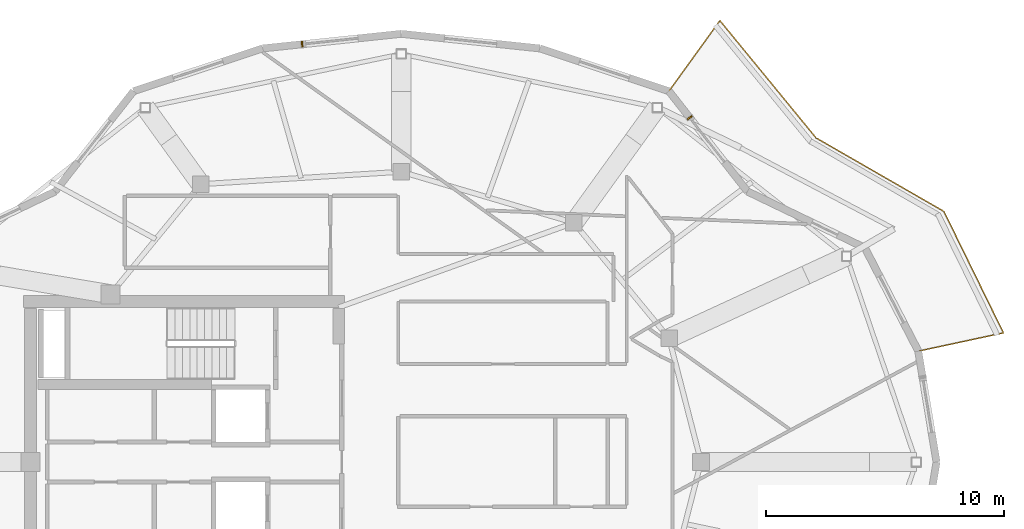
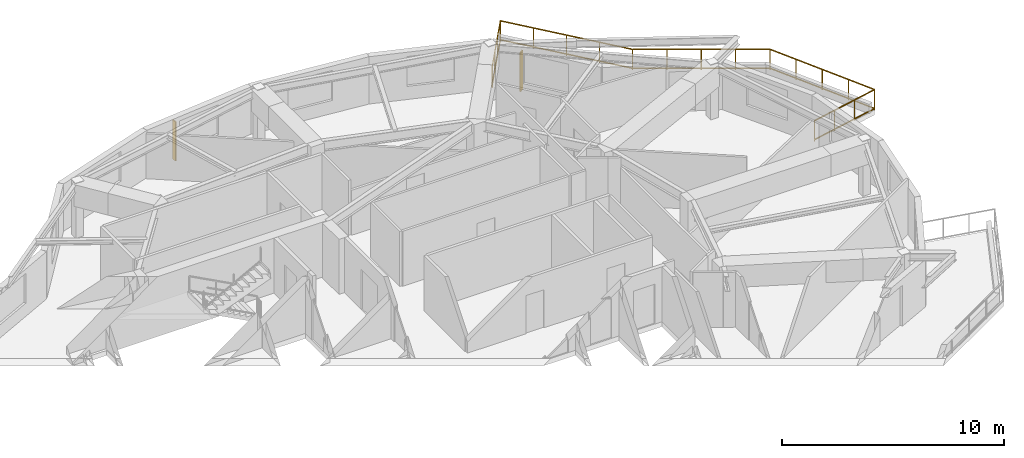
# One storey, part 11 of 11: 2 shading devices, 1 railing.
"""IFC4 building model written with IfcOpenShell, lengths in metres."""

from ifc_helpers import new_model, si_unit, direction, frame, origin, origin_2d, place, context, subcontext, project, spatial, rectangle, extrude, material, type_object, element, save


model = new_model("IFC4")

# Units and contexts
model_context = context("Model", 3, precision=1e-05, world=origin(), true_north=direction((0.0, 1.0)))
body_context = subcontext(model_context, "Body", "Model", "MODEL_VIEW")
ifc_project = project(units=[si_unit("LENGTHUNIT", "METRE"), si_unit("AREAUNIT", "SQUARE_METRE"), si_unit("VOLUMEUNIT", "CUBIC_METRE"), si_unit("PLANEANGLEUNIT", "RADIAN"), si_unit("MASSUNIT", "GRAM", prefix="KILO")], contexts=[model_context])

# Site, building, storey
site_placement = place(None, origin())
site = spatial("IfcSite", under=ifc_project, at=site_placement, CompositionType="ELEMENT")
building_placement = place(site_placement, origin())
building = spatial("IfcBuilding", under=site, at=building_placement, Name="Kolvaren Gate Tower and Convention Centre", CompositionType="ELEMENT")
storey_placement = place(building_placement, frame((0.0, 0.0, 255.800048828125)))
storey = spatial("IfcBuildingStorey", under=building, at=storey_placement, Name="L69", CompositionType="ELEMENT", Elevation=255.800048828125)

# Railing
ifc_material_1 = material(Name="Brushed Stainless Steel Grade 316L", Category="steel")
railing_type = type_object("IfcRailingType", Name="ARCH-RL-GUARD-1150", PredefinedType="GUARDRAIL", material=ifc_material_1)
railing_placement = place(storey_placement, frame((51.8583984375, 31.65869140625, 0.0)))
element("IfcRailing", 1, at=railing_placement, inside=storey, type_object=railing_type, Name="Tower L69 Terrace Perimeter Guardrail GR-1", PredefinedType="GUARDRAIL", context=body_context, shape_type="SweptSolid", body=[
    extrude(rectangle(XDim=0.048095703125, YDim=0.048095703125, at=origin_2d()), frame((0.02734375, 0.005859375, 1.1259765625), z_axis=(0.977788745232, 0.209592866525, 0.0), x_axis=(-0.209592866525, 0.977788745232, 0.0)), (0.0, 0.0, 1.0), 3.603759765625),
    extrude(rectangle(XDim=0.048095703125, YDim=0.048095703125, at=origin_2d()), frame((0.02734375, 0.005859375, 0.083984375), z_axis=(0.977788745232, 0.209592866525, 0.0), x_axis=(-0.209592866525, 0.977788745232, 0.0)), (0.0, 0.0, 1.0), 3.603759765625),
    extrude(rectangle(XDim=0.048095703125, YDim=0.048095703125, at=origin_2d()), frame((3.566162109375, 0.792236328125, 1.1259765625), z_axis=(-0.440058847499, 0.897968936399, 0.0), x_axis=(-0.897968936399, -0.440058847499, 0.0)), (0.0, 0.0, 1.0), 5.63330078125),
    extrude(rectangle(XDim=0.048095703125, YDim=0.048095703125, at=origin_2d()), frame((3.566162109375, 0.792236328125, 0.083984375), z_axis=(-0.440058847499, 0.897968936399, 0.0), x_axis=(-0.897968936399, -0.440058847499, 0.0)), (0.0, 0.0, 1.0), 5.63330078125),
    extrude(rectangle(XDim=0.048095703125, YDim=0.048095703125, at=origin_2d()), frame((1.050537109375, 5.889892578125, 1.1259765625), z_axis=(-0.866894385595, 0.498491849706, 0.0), x_axis=(-0.498491849706, -0.866894385595, 0.0)), (0.0, 0.0, 1.0), 6.140869140625),
    extrude(rectangle(XDim=0.048095703125, YDim=0.048095703125, at=origin_2d()), frame((1.050537109375, 5.889892578125, 0.083984375), z_axis=(-0.866894385595, 0.498491849706, 0.0), x_axis=(-0.498491849706, -0.866894385595, 0.0)), (0.0, 0.0, 1.0), 6.140869140625),
    extrude(rectangle(XDim=0.048095703125, YDim=0.048095703125, at=origin_2d()), frame((-4.31494140625, 8.98681640625, 1.1259765625), z_axis=(-0.634050293942, 0.773291810866, 0.0), x_axis=(-0.773291810866, -0.634050293942, 0.0)), (0.0, 0.0, 1.0), 6.322509765625),
    extrude(rectangle(XDim=0.048095703125, YDim=0.048095703125, at=origin_2d()), frame((-4.31494140625, 8.98681640625, 0.083984375), z_axis=(-0.634050293942, 0.773291810866, 0.0), x_axis=(-0.773291810866, -0.634050293942, 0.0)), (0.0, 0.0, 1.0), 6.322509765625),
    extrude(rectangle(XDim=0.048095703125, YDim=0.048095703125, at=origin_2d()), frame((-8.35791015625, 13.875, 1.1259765625), z_axis=(-0.585181217189, -0.810902548429, 0.0), x_axis=(0.810902548429, -0.585181217189, 0.0)), (0.0, 0.0, 1.0), 3.60400390625),
    extrude(rectangle(XDim=0.048095703125, YDim=0.048095703125, at=origin_2d()), frame((-8.35791015625, 13.875, 0.083984375), z_axis=(-0.585181217189, -0.810902548429, 0.0), x_axis=(0.810902548429, -0.585181217189, 0.0)), (0.0, 0.0, 1.0), 3.60400390625),
    extrude(rectangle(XDim=0.0419921875, YDim=0.0419921875, at=origin_2d()), origin(), (0.0, 0.0, 1.0), 1.14990234375),
    extrude(rectangle(XDim=0.0419921875, YDim=0.0419921875, at=origin_2d()), frame((3.57861328125, 0.76708984375, 0.0)), (0.0, 0.0, 1.0), 1.14990234375),
    extrude(rectangle(XDim=0.0419921875, YDim=0.0419921875, at=origin_2d()), frame((1.19287109375, 0.255615234375, 0.0)), (0.0, 0.0, 1.0), 1.099853515625),
    extrude(rectangle(XDim=0.0419921875, YDim=0.0419921875, at=origin_2d()), frame((2.3857421875, 0.511474609375, 0.0)), (0.0, 0.0, 1.0), 1.099853515625),
    extrude(rectangle(XDim=0.0419921875, YDim=0.0419921875, at=origin_2d()), frame((1.074951171875, 5.8759765625, 0.0)), (0.0, 0.0, 1.0), 1.14990234375),
    extrude(rectangle(XDim=0.0419921875, YDim=0.0419921875, at=origin_2d()), frame((2.95263671875, 2.04443359375, 0.0)), (0.0, 0.0, 1.0), 1.099853515625),
    extrude(rectangle(XDim=0.0419921875, YDim=0.0419921875, at=origin_2d()), frame((2.32666015625, 3.321533203125, 0.0)), (0.0, 0.0, 1.0), 1.099853515625),
    extrude(rectangle(XDim=0.0419921875, YDim=0.0419921875, at=origin_2d()), frame((1.700927734375, 4.5986328125, 0.0)), (0.0, 0.0, 1.0), 1.099853515625),
    extrude(rectangle(XDim=0.0419921875, YDim=0.0419921875, at=origin_2d()), frame((-4.297119140625, 8.965087890625, 0.0)), (0.0, 0.0, 1.0), 1.14990234375),
    extrude(rectangle(XDim=0.0419921875, YDim=0.0419921875, at=origin_2d()), frame((-0.26806640625, 6.648193359375, 0.0)), (0.0, 0.0, 1.0), 1.099853515625),
    extrude(rectangle(XDim=0.0419921875, YDim=0.0419921875, at=origin_2d()), frame((-1.611083984375, 7.42041015625, 0.0)), (0.0, 0.0, 1.0), 1.099853515625),
    extrude(rectangle(XDim=0.0419921875, YDim=0.0419921875, at=origin_2d()), frame((-2.9541015625, 8.19287109375, 0.0)), (0.0, 0.0, 1.0), 1.099853515625),
    extrude(rectangle(XDim=0.0419921875, YDim=0.0419921875, at=origin_2d()), frame((-8.341552734375, 13.897705078125, 0.0)), (0.0, 0.0, 1.0), 1.14990234375),
    extrude(rectangle(XDim=0.0419921875, YDim=0.0419921875, at=origin_2d()), frame((-5.30810546875, 10.1982421875, 0.0)), (0.0, 0.0, 1.0), 1.099853515625),
    extrude(rectangle(XDim=0.0419921875, YDim=0.0419921875, at=origin_2d()), frame((-6.3193359375, 11.431396484375, 0.0)), (0.0, 0.0, 1.0), 1.099853515625),
    extrude(rectangle(XDim=0.0419921875, YDim=0.0419921875, at=origin_2d()), frame((-7.33056640625, 12.66455078125, 0.0)), (0.0, 0.0, 1.0), 1.099853515625),
    extrude(rectangle(XDim=0.0419921875, YDim=0.0419921875, at=origin_2d()), frame((-10.4833984375, 10.9296875, 0.0)), (0.0, 0.0, 1.0), 1.14990234375),
    extrude(rectangle(XDim=0.0419921875, YDim=0.0419921875, at=origin_2d()), frame((-9.055419921875, 12.908447265625, 0.0)), (0.0, 0.0, 1.0), 1.099853515625),
    extrude(rectangle(XDim=0.0419921875, YDim=0.0419921875, at=origin_2d()), frame((-9.76953125, 11.9189453125, 0.0)), (0.0, 0.0, 1.0), 1.099853515625),
])

# Shading devices
ifc_material_2 = material(Name="Kiln-Fired Bogota Terracotta Ceramic Louvre Profile", Category="masonry")
shading_device_type = type_object("IfcShadingDeviceType", Name="ARCH-SHD-FIN-180", PredefinedType="JALOUSIE", material=ifc_material_2)
for number, where, z_axis, x_axis, name in (
    (2, (42.249755859375, 41.47119140625, 0.219970703125), (0.0, 0.0, 1.0), (0.616435493395, -0.787405411769, 0.0), "Ceramic Vertical Brise-Soleil Fin FN-L69-03"),
    (3, (25.96044921875, 44.561279296875, 0.219970703125), (0.0, 0.0, 1.0), (0.994499981166, 0.104736753152, 0.0), "Ceramic Vertical Brise-Soleil Fin FN-L69-06"),
):
    element("IfcShadingDevice", number, at=place(storey_placement, frame(where, z_axis=z_axis, x_axis=x_axis)), inside=storey, type_object=shading_device_type, Name=name, PredefinedType="JALOUSIE", context=body_context, shape_type="SweptSolid", body=[
        extrude(rectangle(XDim=0.06005859375, YDim=0.239990234375, at=origin_2d()), origin(), (0.0, 0.0, 1.0), 2.14990234375),
    ])

save(model, "model.ifc")
